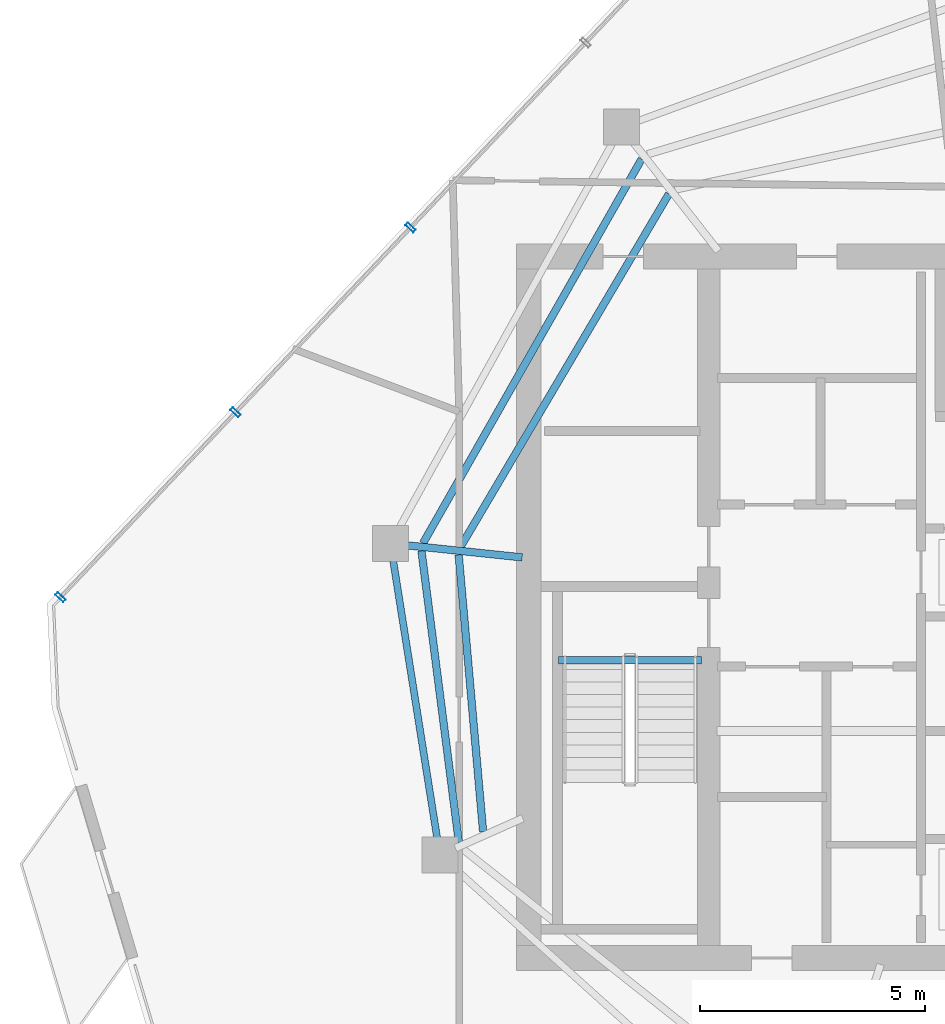
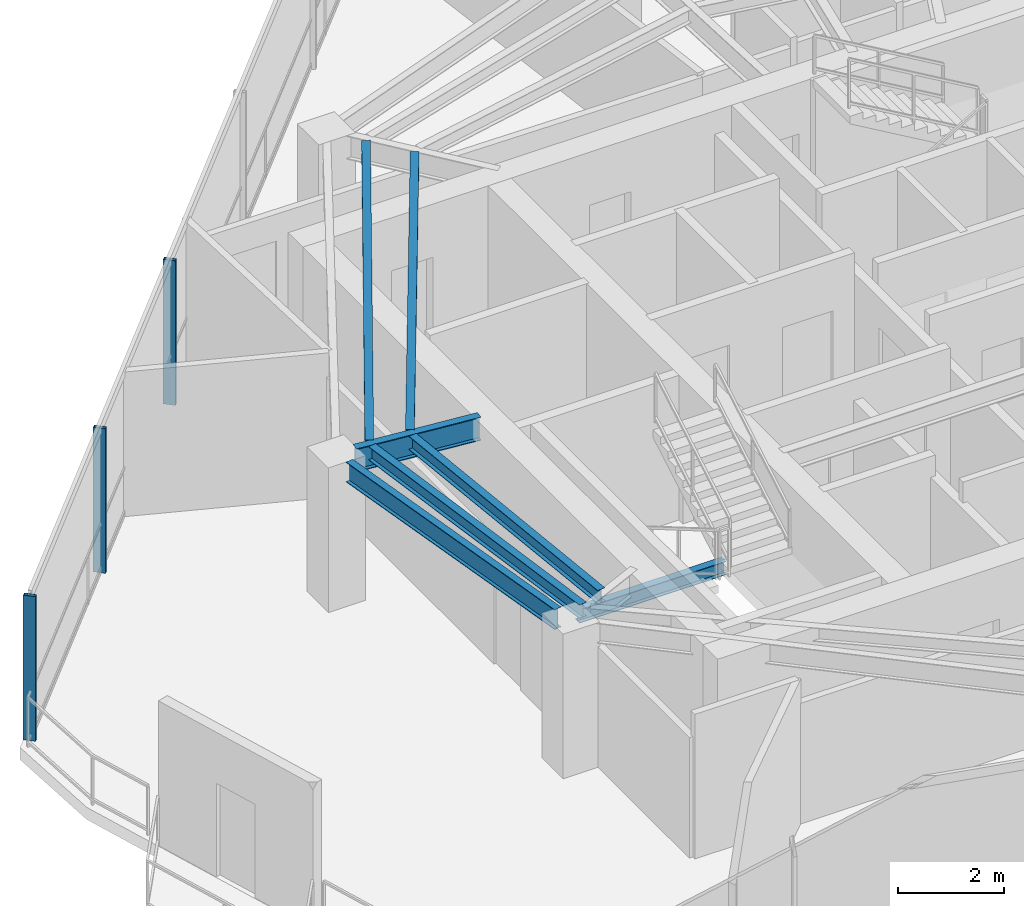
# One storey, part 6 of 18: 7 beams, 3 members, 1 element without a shape of its own.
"""IFC4 building model written with IfcOpenShell, lengths in metres."""

import ifcopenshell
import ifcopenshell.guid

model = None  # the IFC model being written
_history = None  # IfcOwnerHistory: only IFC2X3 demands one
_inside = {}  # id of a spatial element -> (the spatial element, [elements in it])
_under = {}  # id of a project, library or spatial element -> (it, [spatial elements below it])
_declared = {}  # id of a project -> (the project, [libraries it declares])
_typed = {}  # id of a type object -> (the type object, [elements of that type])
_made_of = {}  # id of a material, layer set ... -> (it, [elements and type objects made of it])


def new_model(schema):
    """Start an empty IFC model of exactly this schema.

    Asked for "IFC4X3", IfcOpenShell would pick the latest addendum, in which some entities
    have other attributes; the version numbers below select the first issue.
    IFC2X3 requires an IfcOwnerHistory on every rooted entity: one is made here for all.
    """
    global model, _history
    if schema == "IFC4X3":
        model = ifcopenshell.file(schema_version=(4, 3, 0, 0))
    else:
        model = ifcopenshell.file(schema=schema)
    _inside.clear()
    _under.clear()
    _declared.clear()
    _typed.clear()
    _made_of.clear()
    _history = None
    if model.schema == "IFC2X3":
        org = make("IfcOrganization", Name="unknown")
        user = make(
            "IfcPersonAndOrganization",
            ThePerson=make("IfcPerson", FamilyName="unknown"),
            TheOrganization=org,
        )
        app = make(
            "IfcApplication",
            ApplicationDeveloper=org,
            Version="unknown",
            ApplicationFullName="unknown",
            ApplicationIdentifier="unknown",
        )
        _history = make(
            "IfcOwnerHistory",
            OwningUser=user,
            OwningApplication=app,
            ChangeAction="ADDED",
            CreationDate=0,
        )
    return model


def make(cls, **values):
    """One entity of the class cls with the attributes given. An attribute that is None is left unset."""
    return model.create_entity(
        cls, **{name: value for name, value in values.items() if value is not None}
    )


def rooted(cls, **values):
    """An entity with a GlobalId (a new one), such as an element, a storey or a relation."""
    return make(cls, GlobalId=ifcopenshell.guid.new(), OwnerHistory=_history, **values)


def si_unit(unit_type, name, prefix=None):
    """IfcSIUnit, for example si_unit("LENGTHUNIT", "METRE", prefix="MILLI")."""
    return make("IfcSIUnit", UnitType=unit_type, Prefix=prefix, Name=name)


def assignment(units):
    """IfcUnitAssignment: the units of a project."""
    return None if units is None else make("IfcUnitAssignment", Units=units)


def point(xyz):
    """IfcCartesianPoint."""
    return None if xyz is None else make("IfcCartesianPoint", Coordinates=xyz)


def direction(xyz):
    """IfcDirection."""
    return None if xyz is None else make("IfcDirection", DirectionRatios=xyz)


def frame(location, z_axis=None, x_axis=None):
    """IfcAxis2Placement3D, a coordinate frame: its origin and axes. An axis left out is left unset."""
    return make(
        "IfcAxis2Placement3D",
        Location=point(location),
        Axis=direction(z_axis),
        RefDirection=direction(x_axis),
    )


def frame_2d(location, x_axis=None):
    """IfcAxis2Placement2D, a coordinate frame in the plane: its origin and x axis."""
    return make(
        "IfcAxis2Placement2D", Location=point(location), RefDirection=direction(x_axis)
    )


def origin():
    """The frame at (0, 0, 0) with its axes left unset."""
    return frame((0.0, 0.0, 0.0))


def origin_2d():
    """The frame at (0, 0) in the plane with its x axis left unset."""
    return frame_2d((0.0, 0.0))


def place(relative_to, where):
    """IfcLocalPlacement: puts the frame where relative to a parent placement (None: the world)."""
    return make(
        "IfcLocalPlacement", PlacementRelTo=relative_to, RelativePlacement=where
    )


def context(
    kind, dimensions, precision=None, world=None, true_north=None, identifier=None
):
    """IfcGeometricRepresentationContext, for example the 3D "Model" context."""
    return make(
        "IfcGeometricRepresentationContext",
        ContextIdentifier=identifier,
        ContextType=kind,
        CoordinateSpaceDimension=dimensions,
        Precision=precision,
        WorldCoordinateSystem=world,
        TrueNorth=true_north,
    )


def subcontext(parent, identifier, kind, view, scale=None):
    """IfcGeometricRepresentationSubContext, for example "Body" below "Model"."""
    return make(
        "IfcGeometricRepresentationSubContext",
        ContextIdentifier=identifier,
        ContextType=kind,
        ParentContext=parent,
        TargetScale=scale,
        TargetView=view,
    )


def project(units=None, contexts=None):
    """IfcProject with its units and contexts."""
    return rooted(
        "IfcProject",
        Name="project",
        RepresentationContexts=contexts,
        UnitsInContext=assignment(units),
    )


def spatial(cls, under=None, at=None, **own):
    """A site, building, storey or space (cls), placed at a placement, below another one or the project."""
    s = rooted(cls, ObjectPlacement=at, **own)
    if under is not None:
        _under.setdefault(under.id(), (under, []))[1].append(s)
    return s


def profile(cls, at=None, kind="AREA", **sizes):
    """A parametric profile (cls). Its sizes go by their IFC names, for example OverallWidth=200.0."""
    return make(cls, ProfileType=kind, Position=at, **sizes)


def hollow_rectangle(**sizes):
    """IfcRectangleHollowProfileDef."""
    return profile("IfcRectangleHollowProfileDef", **sizes)


def i_section(**sizes):
    """IfcIShapeProfileDef."""
    return profile("IfcIShapeProfileDef", **sizes)


def extrude(swept, where, along, depth):
    """IfcExtrudedAreaSolid: the profile swept, set in the frame where, extruded along a direction by depth."""
    return make(
        "IfcExtrudedAreaSolid",
        SweptArea=swept,
        Position=where,
        ExtrudedDirection=direction(along),
        Depth=depth,
    )


def shape(context_of_items, identifier, shape_type, items):
    """IfcShapeRepresentation: the items that make up one representation, for example the "Body"."""
    return make(
        "IfcShapeRepresentation",
        ContextOfItems=context_of_items,
        RepresentationIdentifier=identifier,
        RepresentationType=shape_type,
        Items=items,
    )


def material(Name=None, Category=None):
    """IfcMaterial."""
    return make("IfcMaterial", Name=Name, Category=Category)


def layer(
    of_material, thickness, ventilated=None, Name=None, Category=None, Priority=None
):
    """IfcMaterialLayer: one layer of a wall or slab, of a material (None: an air gap)."""
    return make(
        "IfcMaterialLayer",
        Material=of_material,
        LayerThickness=thickness,
        IsVentilated=ventilated,
        Name=Name,
        Category=Category,
        Priority=Priority,
    )


def layer_set(layers, Name=None):
    """IfcMaterialLayerSet."""
    return make("IfcMaterialLayerSet", MaterialLayers=layers, LayerSetName=Name)


def material_profile(
    of_material, cross_section, Name=None, Category=None, Priority=None
):
    """IfcMaterialProfile: a cross section and its material."""
    return make(
        "IfcMaterialProfile",
        Name=Name,
        Material=of_material,
        Profile=cross_section,
        Priority=Priority,
        Category=Category,
    )


def profile_set(profiles, Name=None, composite=None):
    """IfcMaterialProfileSet."""
    return make(
        "IfcMaterialProfileSet",
        Name=Name,
        MaterialProfiles=profiles,
        CompositeProfile=composite,
    )


def made_of(thing, what):
    """Note that an element or type object is made of a material, layer set ...; save() writes the relation."""
    if what is not None:
        _made_of.setdefault(what.id(), (what, []))[1].append(thing)
    return thing


def type_object(cls, material=None, **own):
    """A type object (cls), such as IfcWallType, which elements share."""
    return made_of(rooted(cls, **own), material)


def element(
    cls,
    number,
    at=None,
    inside=None,
    cuts=None,
    type_object=None,
    material=None,
    context=None,
    identifier="Body",
    shape_type=None,
    held_by="IfcProductDefinitionShape",
    body=None,
    shapes=None,
    **own,
):
    """One element of the class cls, such as IfcWall. Its Tag is "e" and its number.

    at: its placement. inside: the storey or other place that contains it. cuts: it is an
    opening in that element (IfcRelVoidsElement). A single representation is given by context,
    identifier, shape_type and body (its items); several are given by shapes. held_by: the class
    of the entity that holds the representations. save() writes the other relations.
    """
    e = rooted(cls, Tag="e%d" % number, ObjectPlacement=at, **own)
    if body is not None:
        shapes = [shape(context, identifier, shape_type, body)]
    if shapes is not None:
        e.Representation = make(held_by, Representations=shapes)
    if inside is not None:
        _inside.setdefault(inside.id(), (inside, []))[1].append(e)
    if cuts is not None:
        rooted(
            "IfcRelVoidsElement", RelatingBuildingElement=cuts, RelatedOpeningElement=e
        )
    if type_object is not None:
        _typed.setdefault(type_object.id(), (type_object, []))[1].append(e)
    return made_of(e, material)


def aggregate(whole, parts):
    """IfcRelAggregates: a whole, such as a stair, and the parts it consists of."""
    return rooted("IfcRelAggregates", RelatingObject=whole, RelatedObjects=parts)


def save(model, path):
    """Write the relations noted so far, then the file.

    IfcRelAggregates (storeys below a building ...), IfcRelContainedInSpatialStructure (elements
    in a storey), IfcRelDefinesByType, IfcRelAssociatesMaterial and IfcRelDeclares: one each for
    every whole, place, type object, material and project.
    """
    for whole, parts in _under.values():
        aggregate(whole, parts)
    for where, things in _inside.values():
        rooted(
            "IfcRelContainedInSpatialStructure",
            RelatedElements=things,
            RelatingStructure=where,
        )
    for kind, things in _typed.values():
        rooted("IfcRelDefinesByType", RelatedObjects=things, RelatingType=kind)
    for what, things in _made_of.values():
        rooted("IfcRelAssociatesMaterial", RelatedObjects=things, RelatingMaterial=what)
    for by, libraries in _declared.values():
        rooted("IfcRelDeclares", RelatingContext=by, RelatedDefinitions=libraries)
    model.write(path)


model = new_model("IFC4")

# Units and contexts
model_context = context("Model", 3, precision=1e-05, world=origin(), true_north=direction((0.0, 1.0)))
body_context = subcontext(model_context, "Body", "Model", "MODEL_VIEW")
ifc_project = project(units=[si_unit("LENGTHUNIT", "METRE"), si_unit("AREAUNIT", "SQUARE_METRE"), si_unit("VOLUMEUNIT", "CUBIC_METRE"), si_unit("PLANEANGLEUNIT", "RADIAN"), si_unit("MASSUNIT", "GRAM", prefix="KILO")], contexts=[model_context])

# Site, building, storey
site_placement = place(None, origin())
site = spatial("IfcSite", under=ifc_project, at=site_placement, CompositionType="ELEMENT")
building_placement = place(site_placement, origin())
building = spatial("IfcBuilding", under=site, at=building_placement, Name="Qarnah Convention Tower", CompositionType="ELEMENT")
storey_placement = place(building_placement, frame((0.0, 0.0, 242.699951171875)))
storey = spatial("IfcBuildingStorey", under=building, at=storey_placement, Name="L65", CompositionType="ELEMENT", Elevation=242.699951171875)

# Beams
ifc_material_1 = material(Name="Structural steel S355JR", Category="steel")
ifc_material_profile_1 = material_profile(ifc_material_1, i_section(OverallWidth=0.166015625, OverallDepth=0.31201171875, WebThickness=0.007080078125, FlangeThickness=0.010986328125, at=origin_2d()), Name="W310X45")
ifc_profile_set_1 = profile_set([ifc_material_profile_1], Name="Structural steel S355JR")
beam_type_1 = type_object("IfcBeamType", Name="BM-JST-W310", PredefinedType="JOIST", material=ifc_profile_set_1)
beam_1_placement = place(storey_placement, frame((27.4599609375, 25.217041015625, -0.156005859375), z_axis=(1.0, 0.0, 0.0), x_axis=(0.0, 1.0, 0.0)))
element("IfcBeam", 1, at=beam_1_placement, inside=storey, type_object=beam_type_1, Name="L65 stair landing trimmer beam BM-L65-ST1-TRM", PredefinedType="BEAM", context=body_context, shape_type="SweptSolid", body=[
    extrude(i_section(OverallWidth=0.166015625, OverallDepth=0.31201171875, WebThickness=0.007080078125, FlangeThickness=0.010986328125, at=origin_2d()), origin(), (0.0, 0.0, 1.0), 3.179931640625),
])
beam_2_placement = place(storey_placement, frame((29.30810546875, 36.366943359375, 3.1640625), z_axis=(-0.494589589693, -0.869126652317, 0.0), x_axis=(0.869126652317, -0.494589589693, 0.0)))
element("IfcBeam", 2, at=beam_2_placement, inside=storey, type_object=beam_type_1, Name="L65 joist BM-L65-SJST-04", PredefinedType="JOIST", context=body_context, shape_type="SweptSolid", body=[
    extrude(i_section(OverallWidth=0.166015625, OverallDepth=0.31201171875, WebThickness=0.007080078125, FlangeThickness=0.010986328125, at=origin_2d()), origin(), (0.0, 0.0, 1.0), 9.83056640625),
])
beam_3_placement = place(storey_placement, frame((24.412109375, 27.656005859375, 3.1640625), z_axis=(0.127426220111, -0.991848052087, 0.0), x_axis=(0.991848052087, 0.127426220111, 0.0)))
element("IfcBeam", 3, at=beam_3_placement, inside=storey, type_object=beam_type_1, Name="L65 joist BM-L65-SJST-05", PredefinedType="JOIST", context=body_context, shape_type="SweptSolid", body=[
    extrude(i_section(OverallWidth=0.166015625, OverallDepth=0.31201171875, WebThickness=0.007080078125, FlangeThickness=0.010986328125, at=origin_2d()), origin(), (0.0, 0.0, 1.0), 6.537109375),
])
beam_4_placement = place(storey_placement, frame((29.9140625, 35.590087890625, 3.1640625), z_axis=(-0.508401010796, -0.861120440021, 0.0), x_axis=(0.861120440021, -0.508401010796, 0.0)))
element("IfcBeam", 4, at=beam_4_placement, inside=storey, type_object=beam_type_1, Name="L65 joist BM-L65-IJST-04", PredefinedType="JOIST", context=body_context, shape_type="SweptSolid", body=[
    extrude(i_section(OverallWidth=0.166015625, OverallDepth=0.31201171875, WebThickness=0.007080078125, FlangeThickness=0.010986328125, at=origin_2d()), origin(), (0.0, 0.0, 1.0), 9.12060546875),
])
beam_5_placement = place(storey_placement, frame((25.239013671875, 27.568115234375, 3.1640625), z_axis=(0.08799985905, -0.996120487093, 0.0), x_axis=(0.996120487093, 0.08799985905, 0.0)))
element("IfcBeam", 5, at=beam_5_placement, inside=storey, type_object=beam_type_1, Name="L65 joist BM-L65-IJST-05", PredefinedType="JOIST", context=body_context, shape_type="SweptSolid", body=[
    extrude(i_section(OverallWidth=0.166015625, OverallDepth=0.31201171875, WebThickness=0.007080078125, FlangeThickness=0.010986328125, at=origin_2d()), origin(), (0.0, 0.0, 1.0), 6.18115234375),
])
ifc_material_profile_2 = material_profile(ifc_material_1, i_section(OverallWidth=0.166015625, OverallDepth=0.535888671875, WebThickness=0.010009765625, FlangeThickness=0.01708984375, at=origin_2d()), Name="W530X85")
ifc_profile_set_2 = profile_set([ifc_material_profile_2], Name="Structural steel S355JR")
beam_type_2 = type_object("IfcBeamType", Name="BM-RAD-W530B", PredefinedType="BEAM", material=ifc_profile_set_2)
beam_6_placement = place(storey_placement, frame((26.65087890625, 27.509033203125, 3.052001953125), z_axis=(-0.994564280912, 0.104124402207, 0.0), x_axis=(-0.104124402207, -0.994564280912, 0.0)))
element("IfcBeam", 6, at=beam_6_placement, inside=storey, type_object=beam_type_2, Name="L65 beam BM-L65-RAD-05", PredefinedType="BEAM", context=body_context, shape_type="SweptSolid", body=[
    extrude(i_section(OverallWidth=0.166015625, OverallDepth=0.535888671875, WebThickness=0.010009765625, FlangeThickness=0.01708984375, at=origin_2d()), origin(), (0.0, 0.0, 1.0), 2.562744140625),
])
ifc_material_profile_3 = material_profile(ifc_material_1, i_section(OverallWidth=0.154052734375, OverallDepth=0.4599609375, WebThickness=0.009033203125, FlangeThickness=0.014892578125, at=origin_2d()), Name="W460X68")
ifc_profile_set_3 = profile_set([ifc_material_profile_3], Name="Structural steel S355JR")
beam_type_3 = type_object("IfcBeamType", Name="BM-SPN-W460B", PredefinedType="SPANDREL", material=ifc_profile_set_3)
beam_7_placement = place(storey_placement, frame((23.784912109375, 27.430908203125, 3.090087890625), z_axis=(0.156423110156, -0.987690138965, 0.0), x_axis=(0.987690138965, 0.156423110156, 0.0)))
element("IfcBeam", 7, at=beam_7_placement, inside=storey, type_object=beam_type_3, Name="L65 spandrel BM-L65-SPN-05", PredefinedType="SPANDREL", context=body_context, shape_type="SweptSolid", body=[
    extrude(i_section(OverallWidth=0.154052734375, OverallDepth=0.4599609375, WebThickness=0.009033203125, FlangeThickness=0.014892578125, at=origin_2d()), origin(), (0.0, 0.0, 1.0), 6.233642578125),
])

# Curtain wall, members
ifc_material_2 = material(Name="Tempered Low-E dark glass", Category="glass")
ifc_layer = layer(ifc_material_2, 0.176025390625)
ifc_layer_set = layer_set([ifc_layer], Name="Tempered Low-E dark glass")
curtain_wall_type = type_object("IfcCurtainWallType", Name="CWS-05", PredefinedType="NOTDEFINED", material=ifc_layer_set)
curtain_wall_placement = place(storey_placement, origin())
curtain_wall = element("IfcCurtainWall", 8, at=curtain_wall_placement, inside=storey, type_object=curtain_wall_type, Name="L65 unitised curtain wall CW-L65-F1", PredefinedType="NOTDEFINED")
ifc_material_3 = material(Name="Black anodised aluminium", Category="aluminium")
ifc_material_profile_4 = material_profile(ifc_material_3, hollow_rectangle(XDim=0.080078125, YDim=0.239990234375, WallThickness=0.0048828125, at=origin_2d()), Name="MUL-80X240")
ifc_profile_set_4 = profile_set([ifc_material_profile_4], Name="Black anodised aluminium")
member_type = type_object("IfcMemberType", Name="MUL-T5", PredefinedType="MULLION", material=ifc_profile_set_4)
member_1_placement = place(storey_placement, frame((16.383056640625, 26.6220703125, 0.0), z_axis=(0.0, 0.0, 1.0), x_axis=(0.687589797822, 0.726099352658, 0.0)))
member_1 = element("IfcMember", 9, at=member_1_placement, type_object=member_type, Name="CW-L65-F1 mullion 1", PredefinedType="MULLION", context=body_context, shape_type="SweptSolid", body=[
    extrude(hollow_rectangle(XDim=0.080078125, YDim=0.239990234375, WallThickness=0.0048828125, at=origin_2d()), origin(), (0.0, 0.0, 1.0), 3.320068359375),
])
member_2_placement = place(storey_placement, frame((20.275390625, 30.732421875, 0.0), z_axis=(0.0, 0.0, 1.0), x_axis=(0.687589797822, 0.726099352658, 0.0)))
member_2 = element("IfcMember", 10, at=member_2_placement, type_object=member_type, Name="CW-L65-F1 mullion 2", PredefinedType="MULLION", context=body_context, shape_type="SweptSolid", body=[
    extrude(hollow_rectangle(XDim=0.080078125, YDim=0.239990234375, WallThickness=0.0048828125, at=origin_2d()), origin(), (0.0, 0.0, 1.0), 3.320068359375),
])
member_3_placement = place(storey_placement, frame((24.167724609375, 34.8427734375, 0.0), z_axis=(0.0, 0.0, 1.0), x_axis=(0.687589797822, 0.726099352658, 0.0)))
member_3 = element("IfcMember", 11, at=member_3_placement, type_object=member_type, Name="CW-L65-F1 mullion 3", PredefinedType="MULLION", context=body_context, shape_type="SweptSolid", body=[
    extrude(hollow_rectangle(XDim=0.080078125, YDim=0.239990234375, WallThickness=0.0048828125, at=origin_2d()), origin(), (0.0, 0.0, 1.0), 3.320068359375),
])
aggregate(curtain_wall, [member_1, member_2, member_3])

save(model, "model.ifc")
